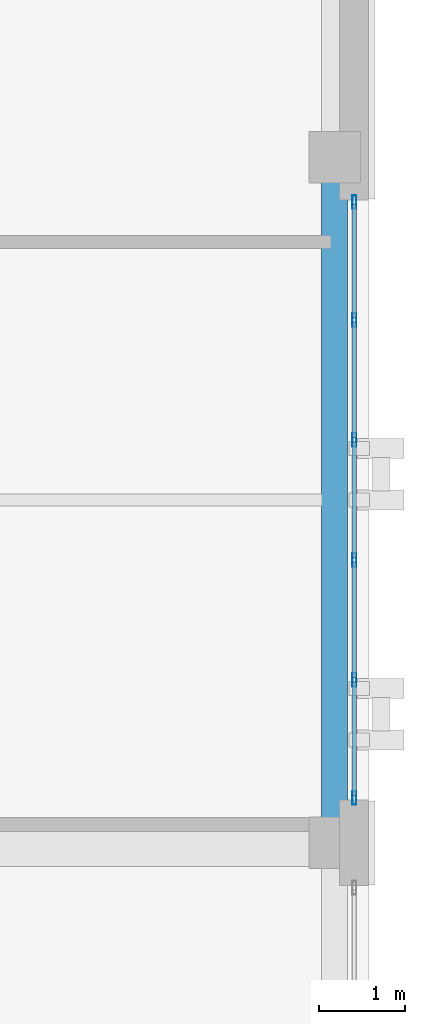
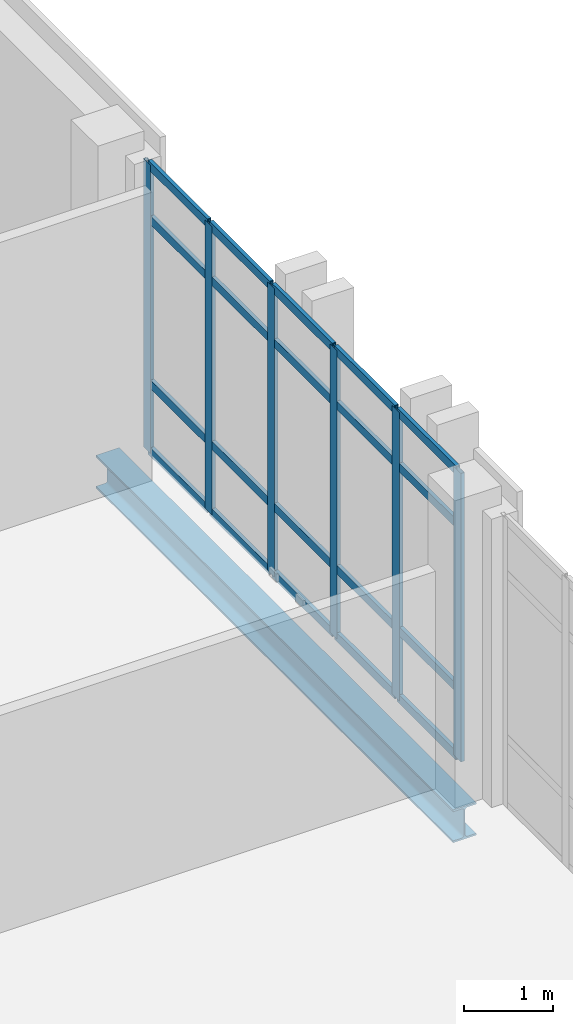
# One storey, part 11 of 22: 26 members, 1 beam, 1 element without a shape of its own.
"""IFC4 building model written with IfcOpenShell, lengths in metres."""

from ifc_helpers import new_model, si_unit, direction, frame, origin, origin_2d, place, context, subcontext, project, spatial, hollow_rectangle, i_section, extrude, material, layer, layer_set, material_profile, profile_set, type_object, element, aggregate, save


model = new_model("IFC4")

# Units and contexts
model_context = context("Model", 3, precision=1e-05, world=origin(), true_north=direction((0.0, 1.0)))
body_context = subcontext(model_context, "Body", "Model", "MODEL_VIEW")
ifc_project = project(units=[si_unit("LENGTHUNIT", "METRE"), si_unit("AREAUNIT", "SQUARE_METRE"), si_unit("VOLUMEUNIT", "CUBIC_METRE"), si_unit("PLANEANGLEUNIT", "RADIAN"), si_unit("MASSUNIT", "GRAM", prefix="KILO")], contexts=[model_context])

# Site, building, storey
site_placement = place(None, origin())
site = spatial("IfcSite", under=ifc_project, at=site_placement, CompositionType="ELEMENT")
building_placement = place(site_placement, origin())
building = spatial("IfcBuilding", under=site, at=building_placement, Name="Qalavern Law Courts", CompositionType="ELEMENT")
storey_placement = place(building_placement, frame((0.0, 0.0, 35.39990234375)))
storey = spatial("IfcBuildingStorey", under=building, at=storey_placement, Name="L08", CompositionType="ELEMENT", Elevation=35.39990234375)

# Curtain wall, members
ifc_material_1 = material(Name="Anodised aluminium and insulated glazing", Category="aluminium")
ifc_layer = layer(ifc_material_1, 0.159912109375)
ifc_layer_set = layer_set([ifc_layer], Name="Anodised aluminium and insulated glazing")
curtain_wall_type = type_object("IfcCurtainWallType", Name="ENV-CW-CHAMB", PredefinedType="USERDEFINED", material=ifc_layer_set)
curtain_wall_placement = place(storey_placement, origin())
curtain_wall = element("IfcCurtainWall", 1, at=curtain_wall_placement, inside=storey, type_object=curtain_wall_type, Name="V4 unitised curtain wall L08 east 3", ObjectType="UNITISED CURTAIN WALL", PredefinedType="USERDEFINED")
ifc_material_2 = material(Name="Anodised aluminium", Category="aluminium")
ifc_material_profile_1 = material_profile(ifc_material_2, hollow_rectangle(XDim=0.048095703125, YDim=0.159912109375, WallThickness=0.00390625, at=origin_2d()), Name="ALU MULLION 48x160")
ifc_profile_set_1 = profile_set([ifc_material_profile_1], Name="Anodised aluminium")
member_type_1 = type_object("IfcMemberType", Name="ENV-CWM-48x160", PredefinedType="MULLION", material=ifc_profile_set_1)
member_1_placement = place(storey_placement, frame((106.6298828125, 57.924072265625, 0.0), z_axis=(0.0, 0.0, 1.0), x_axis=(-1.0, 0.0, 0.0)))
member_1 = element("IfcMember", 2, at=member_1_placement, type_object=member_type_1, Name="CW-04 mullion 1", PredefinedType="MULLION", context=body_context, shape_type="SweptSolid", body=[
    extrude(hollow_rectangle(XDim=0.048095703125, YDim=0.159912109375, WallThickness=0.00390625, at=origin_2d()), origin(), (0.0, 0.0, 1.0), 3.945068359375),
])
member_2_placement = place(storey_placement, frame((106.6298828125, 59.300048828125, 0.0), z_axis=(0.0, 0.0, 1.0), x_axis=(-1.0, 0.0, 0.0)))
member_2 = element("IfcMember", 3, at=member_2_placement, type_object=member_type_1, Name="CW-04 mullion 2", PredefinedType="MULLION", context=body_context, shape_type="SweptSolid", body=[
    extrude(hollow_rectangle(XDim=0.048095703125, YDim=0.159912109375, WallThickness=0.00390625, at=origin_2d()), origin(), (0.0, 0.0, 1.0), 3.945068359375),
])
member_3_placement = place(storey_placement, frame((106.6298828125, 60.699951171875, 0.0), z_axis=(0.0, 0.0, 1.0), x_axis=(-1.0, 0.0, 0.0)))
member_3 = element("IfcMember", 4, at=member_3_placement, type_object=member_type_1, Name="CW-04 mullion 3", PredefinedType="MULLION", context=body_context, shape_type="SweptSolid", body=[
    extrude(hollow_rectangle(XDim=0.048095703125, YDim=0.159912109375, WallThickness=0.00390625, at=origin_2d()), origin(), (0.0, 0.0, 1.0), 3.945068359375),
])
member_4_placement = place(storey_placement, frame((106.6298828125, 62.10009765625, 0.0), z_axis=(0.0, 0.0, 1.0), x_axis=(-1.0, 0.0, 0.0)))
member_4 = element("IfcMember", 5, at=member_4_placement, type_object=member_type_1, Name="CW-04 mullion 4", PredefinedType="MULLION", context=body_context, shape_type="SweptSolid", body=[
    extrude(hollow_rectangle(XDim=0.048095703125, YDim=0.159912109375, WallThickness=0.00390625, at=origin_2d()), origin(), (0.0, 0.0, 1.0), 3.945068359375),
])
member_5_placement = place(storey_placement, frame((106.6298828125, 63.5, 0.0), z_axis=(0.0, 0.0, 1.0), x_axis=(-1.0, 0.0, 0.0)))
member_5 = element("IfcMember", 6, at=member_5_placement, type_object=member_type_1, Name="CW-04 mullion 5", PredefinedType="MULLION", context=body_context, shape_type="SweptSolid", body=[
    extrude(hollow_rectangle(XDim=0.048095703125, YDim=0.159912109375, WallThickness=0.00390625, at=origin_2d()), origin(), (0.0, 0.0, 1.0), 3.945068359375),
])
member_6_placement = place(storey_placement, frame((106.6298828125, 64.8759765625, 0.0), z_axis=(0.0, 0.0, 1.0), x_axis=(-1.0, 0.0, 0.0)))
member_6 = element("IfcMember", 7, at=member_6_placement, type_object=member_type_1, Name="CW-04 mullion 6", PredefinedType="MULLION", context=body_context, shape_type="SweptSolid", body=[
    extrude(hollow_rectangle(XDim=0.048095703125, YDim=0.159912109375, WallThickness=0.00390625, at=origin_2d()), origin(), (0.0, 0.0, 1.0), 3.945068359375),
])
ifc_material_profile_2 = material_profile(ifc_material_2, hollow_rectangle(XDim=0.048095703125, YDim=0.1201171875, WallThickness=0.00390625, at=origin_2d()), Name="ALU TRANSOM 48x120")
ifc_profile_set_2 = profile_set([ifc_material_profile_2], Name="Anodised aluminium")
member_type_2 = type_object("IfcMemberType", Name="ENV-CWT-48x120", PredefinedType="USERDEFINED", material=ifc_profile_set_2)
member_7_placement = place(storey_placement, frame((106.6298828125, 57.947998046875, 0.024169921875), z_axis=(0.0, 1.0, 0.0), x_axis=(-1.0, 0.0, 0.0)))
member_7 = element("IfcMember", 8, at=member_7_placement, type_object=member_type_2, Name="CW-04 transom 1.1", ObjectType="TRANSOM", PredefinedType="USERDEFINED", context=body_context, shape_type="SweptSolid", body=[
    extrude(hollow_rectangle(XDim=0.048095703125, YDim=0.1201171875, WallThickness=0.00390625, at=origin_2d()), origin(), (0.0, 0.0, 1.0), 1.327880859375),
])
member_8_placement = place(storey_placement, frame((106.6298828125, 57.947998046875, 0.9501953125), z_axis=(0.0, 1.0, 0.0), x_axis=(-1.0, 0.0, 0.0)))
member_8 = element("IfcMember", 9, at=member_8_placement, type_object=member_type_2, Name="CW-04 transom 1.2", ObjectType="TRANSOM", PredefinedType="USERDEFINED", context=body_context, shape_type="SweptSolid", body=[
    extrude(hollow_rectangle(XDim=0.048095703125, YDim=0.1201171875, WallThickness=0.00390625, at=origin_2d()), origin(), (0.0, 0.0, 1.0), 1.327880859375),
])
member_9_placement = place(storey_placement, frame((106.6298828125, 57.947998046875, 3.195068359375), z_axis=(0.0, 1.0, 0.0), x_axis=(-1.0, 0.0, 0.0)))
member_9 = element("IfcMember", 10, at=member_9_placement, type_object=member_type_2, Name="CW-04 transom 1.3", ObjectType="TRANSOM", PredefinedType="USERDEFINED", context=body_context, shape_type="SweptSolid", body=[
    extrude(hollow_rectangle(XDim=0.048095703125, YDim=0.1201171875, WallThickness=0.00390625, at=origin_2d()), origin(), (0.0, 0.0, 1.0), 1.327880859375),
])
member_10_placement = place(storey_placement, frame((106.6298828125, 57.947998046875, 3.921142578125), z_axis=(0.0, 1.0, 0.0), x_axis=(-1.0, 0.0, 0.0)))
member_10 = element("IfcMember", 11, at=member_10_placement, type_object=member_type_2, Name="CW-04 transom 1.4", ObjectType="TRANSOM", PredefinedType="USERDEFINED", context=body_context, shape_type="SweptSolid", body=[
    extrude(hollow_rectangle(XDim=0.048095703125, YDim=0.1201171875, WallThickness=0.00390625, at=origin_2d()), origin(), (0.0, 0.0, 1.0), 1.327880859375),
])
member_11_placement = place(storey_placement, frame((106.6298828125, 59.323974609375, 0.024169921875), z_axis=(0.0, 1.0, 0.0), x_axis=(-1.0, 0.0, 0.0)))
member_11 = element("IfcMember", 12, at=member_11_placement, type_object=member_type_2, Name="CW-04 transom 2.1", ObjectType="TRANSOM", PredefinedType="USERDEFINED", context=body_context, shape_type="SweptSolid", body=[
    extrude(hollow_rectangle(XDim=0.048095703125, YDim=0.1201171875, WallThickness=0.00390625, at=origin_2d()), origin(), (0.0, 0.0, 1.0), 1.35205078125),
])
member_12_placement = place(storey_placement, frame((106.6298828125, 59.323974609375, 0.9501953125), z_axis=(0.0, 1.0, 0.0), x_axis=(-1.0, 0.0, 0.0)))
member_12 = element("IfcMember", 13, at=member_12_placement, type_object=member_type_2, Name="CW-04 transom 2.2", ObjectType="TRANSOM", PredefinedType="USERDEFINED", context=body_context, shape_type="SweptSolid", body=[
    extrude(hollow_rectangle(XDim=0.048095703125, YDim=0.1201171875, WallThickness=0.00390625, at=origin_2d()), origin(), (0.0, 0.0, 1.0), 1.35205078125),
])
member_13_placement = place(storey_placement, frame((106.6298828125, 59.323974609375, 3.195068359375), z_axis=(0.0, 1.0, 0.0), x_axis=(-1.0, 0.0, 0.0)))
member_13 = element("IfcMember", 14, at=member_13_placement, type_object=member_type_2, Name="CW-04 transom 2.3", ObjectType="TRANSOM", PredefinedType="USERDEFINED", context=body_context, shape_type="SweptSolid", body=[
    extrude(hollow_rectangle(XDim=0.048095703125, YDim=0.1201171875, WallThickness=0.00390625, at=origin_2d()), origin(), (0.0, 0.0, 1.0), 1.35205078125),
])
member_14_placement = place(storey_placement, frame((106.6298828125, 59.323974609375, 3.921142578125), z_axis=(0.0, 1.0, 0.0), x_axis=(-1.0, 0.0, 0.0)))
member_14 = element("IfcMember", 15, at=member_14_placement, type_object=member_type_2, Name="CW-04 transom 2.4", ObjectType="TRANSOM", PredefinedType="USERDEFINED", context=body_context, shape_type="SweptSolid", body=[
    extrude(hollow_rectangle(XDim=0.048095703125, YDim=0.1201171875, WallThickness=0.00390625, at=origin_2d()), origin(), (0.0, 0.0, 1.0), 1.35205078125),
])
member_15_placement = place(storey_placement, frame((106.6298828125, 60.72412109375, 0.024169921875), z_axis=(0.0, 1.0, 0.0), x_axis=(-1.0, 0.0, 0.0)))
member_15 = element("IfcMember", 16, at=member_15_placement, type_object=member_type_2, Name="CW-04 transom 3.1", ObjectType="TRANSOM", PredefinedType="USERDEFINED", context=body_context, shape_type="SweptSolid", body=[
    extrude(hollow_rectangle(XDim=0.048095703125, YDim=0.1201171875, WallThickness=0.00390625, at=origin_2d()), origin(), (0.0, 0.0, 1.0), 1.351806640625),
])
member_16_placement = place(storey_placement, frame((106.6298828125, 60.72412109375, 0.9501953125), z_axis=(0.0, 1.0, 0.0), x_axis=(-1.0, 0.0, 0.0)))
member_16 = element("IfcMember", 17, at=member_16_placement, type_object=member_type_2, Name="CW-04 transom 3.2", ObjectType="TRANSOM", PredefinedType="USERDEFINED", context=body_context, shape_type="SweptSolid", body=[
    extrude(hollow_rectangle(XDim=0.048095703125, YDim=0.1201171875, WallThickness=0.00390625, at=origin_2d()), origin(), (0.0, 0.0, 1.0), 1.351806640625),
])
member_17_placement = place(storey_placement, frame((106.6298828125, 60.72412109375, 3.195068359375), z_axis=(0.0, 1.0, 0.0), x_axis=(-1.0, 0.0, 0.0)))
member_17 = element("IfcMember", 18, at=member_17_placement, type_object=member_type_2, Name="CW-04 transom 3.3", ObjectType="TRANSOM", PredefinedType="USERDEFINED", context=body_context, shape_type="SweptSolid", body=[
    extrude(hollow_rectangle(XDim=0.048095703125, YDim=0.1201171875, WallThickness=0.00390625, at=origin_2d()), origin(), (0.0, 0.0, 1.0), 1.351806640625),
])
member_18_placement = place(storey_placement, frame((106.6298828125, 60.72412109375, 3.921142578125), z_axis=(0.0, 1.0, 0.0), x_axis=(-1.0, 0.0, 0.0)))
member_18 = element("IfcMember", 19, at=member_18_placement, type_object=member_type_2, Name="CW-04 transom 3.4", ObjectType="TRANSOM", PredefinedType="USERDEFINED", context=body_context, shape_type="SweptSolid", body=[
    extrude(hollow_rectangle(XDim=0.048095703125, YDim=0.1201171875, WallThickness=0.00390625, at=origin_2d()), origin(), (0.0, 0.0, 1.0), 1.351806640625),
])
member_19_placement = place(storey_placement, frame((106.6298828125, 62.1240234375, 0.024169921875), z_axis=(0.0, 1.0, 0.0), x_axis=(-1.0, 0.0, 0.0)))
member_19 = element("IfcMember", 20, at=member_19_placement, type_object=member_type_2, Name="CW-04 transom 4.1", ObjectType="TRANSOM", PredefinedType="USERDEFINED", context=body_context, shape_type="SweptSolid", body=[
    extrude(hollow_rectangle(XDim=0.048095703125, YDim=0.1201171875, WallThickness=0.00390625, at=origin_2d()), origin(), (0.0, 0.0, 1.0), 1.35205078125),
])
member_20_placement = place(storey_placement, frame((106.6298828125, 62.1240234375, 0.9501953125), z_axis=(0.0, 1.0, 0.0), x_axis=(-1.0, 0.0, 0.0)))
member_20 = element("IfcMember", 21, at=member_20_placement, type_object=member_type_2, Name="CW-04 transom 4.2", ObjectType="TRANSOM", PredefinedType="USERDEFINED", context=body_context, shape_type="SweptSolid", body=[
    extrude(hollow_rectangle(XDim=0.048095703125, YDim=0.1201171875, WallThickness=0.00390625, at=origin_2d()), origin(), (0.0, 0.0, 1.0), 1.35205078125),
])
member_21_placement = place(storey_placement, frame((106.6298828125, 62.1240234375, 3.195068359375), z_axis=(0.0, 1.0, 0.0), x_axis=(-1.0, 0.0, 0.0)))
member_21 = element("IfcMember", 22, at=member_21_placement, type_object=member_type_2, Name="CW-04 transom 4.3", ObjectType="TRANSOM", PredefinedType="USERDEFINED", context=body_context, shape_type="SweptSolid", body=[
    extrude(hollow_rectangle(XDim=0.048095703125, YDim=0.1201171875, WallThickness=0.00390625, at=origin_2d()), origin(), (0.0, 0.0, 1.0), 1.35205078125),
])
member_22_placement = place(storey_placement, frame((106.6298828125, 62.1240234375, 3.921142578125), z_axis=(0.0, 1.0, 0.0), x_axis=(-1.0, 0.0, 0.0)))
member_22 = element("IfcMember", 23, at=member_22_placement, type_object=member_type_2, Name="CW-04 transom 4.4", ObjectType="TRANSOM", PredefinedType="USERDEFINED", context=body_context, shape_type="SweptSolid", body=[
    extrude(hollow_rectangle(XDim=0.048095703125, YDim=0.1201171875, WallThickness=0.00390625, at=origin_2d()), origin(), (0.0, 0.0, 1.0), 1.35205078125),
])
member_23_placement = place(storey_placement, frame((106.6298828125, 63.52392578125, 0.024169921875), z_axis=(0.0, 1.0, 0.0), x_axis=(-1.0, 0.0, 0.0)))
member_23 = element("IfcMember", 24, at=member_23_placement, type_object=member_type_2, Name="CW-04 transom 5.1", ObjectType="TRANSOM", PredefinedType="USERDEFINED", context=body_context, shape_type="SweptSolid", body=[
    extrude(hollow_rectangle(XDim=0.048095703125, YDim=0.1201171875, WallThickness=0.00390625, at=origin_2d()), origin(), (0.0, 0.0, 1.0), 1.328125),
])
member_24_placement = place(storey_placement, frame((106.6298828125, 63.52392578125, 0.9501953125), z_axis=(0.0, 1.0, 0.0), x_axis=(-1.0, 0.0, 0.0)))
member_24 = element("IfcMember", 25, at=member_24_placement, type_object=member_type_2, Name="CW-04 transom 5.2", ObjectType="TRANSOM", PredefinedType="USERDEFINED", context=body_context, shape_type="SweptSolid", body=[
    extrude(hollow_rectangle(XDim=0.048095703125, YDim=0.1201171875, WallThickness=0.00390625, at=origin_2d()), origin(), (0.0, 0.0, 1.0), 1.328125),
])
member_25_placement = place(storey_placement, frame((106.6298828125, 63.52392578125, 3.195068359375), z_axis=(0.0, 1.0, 0.0), x_axis=(-1.0, 0.0, 0.0)))
member_25 = element("IfcMember", 26, at=member_25_placement, type_object=member_type_2, Name="CW-04 transom 5.3", ObjectType="TRANSOM", PredefinedType="USERDEFINED", context=body_context, shape_type="SweptSolid", body=[
    extrude(hollow_rectangle(XDim=0.048095703125, YDim=0.1201171875, WallThickness=0.00390625, at=origin_2d()), origin(), (0.0, 0.0, 1.0), 1.328125),
])
member_26_placement = place(storey_placement, frame((106.6298828125, 63.52392578125, 3.921142578125), z_axis=(0.0, 1.0, 0.0), x_axis=(-1.0, 0.0, 0.0)))
member_26 = element("IfcMember", 27, at=member_26_placement, type_object=member_type_2, Name="CW-04 transom 5.4", ObjectType="TRANSOM", PredefinedType="USERDEFINED", context=body_context, shape_type="SweptSolid", body=[
    extrude(hollow_rectangle(XDim=0.048095703125, YDim=0.1201171875, WallThickness=0.00390625, at=origin_2d()), origin(), (0.0, 0.0, 1.0), 1.328125),
])
aggregate(curtain_wall, [member_1, member_2, member_3, member_4, member_5, member_6, member_7, member_8, member_9, member_10, member_11, member_12, member_13, member_14, member_15, member_16, member_17, member_18, member_19, member_20, member_21, member_22, member_23, member_24, member_25, member_26])

# Beam
ifc_material_3 = material(Name="Steel S355", Category="steel")
ifc_material_profile_3 = material_profile(ifc_material_3, i_section(OverallWidth=0.300048828125, OverallDepth=0.449951171875, WebThickness=0.013916015625, FlangeThickness=0.02587890625, FilletRadius=0.027099609375, at=origin_2d()), Name="HEB 450")
ifc_profile_set_3 = profile_set([ifc_material_profile_3], Name="Steel S355")
beam_type = type_object("IfcBeamType", Name="STR-SP-HEB450", PredefinedType="SPANDREL", material=ifc_profile_set_3)
beam_placement = place(storey_placement, frame((106.39990234375, 57.39990234375, -0.48486328125), z_axis=(0.0, 1.0, 0.0), x_axis=(-1.0, 0.0, 0.0)))
element("IfcBeam", 28, at=beam_placement, inside=storey, type_object=beam_type, Name="V4 Y-beam 3-3 L08", PredefinedType="SPANDREL", context=body_context, shape_type="SweptSolid", body=[
    extrude(i_section(OverallWidth=0.300048828125, OverallDepth=0.449951171875, WebThickness=0.013916015625, FlangeThickness=0.02587890625, FilletRadius=0.027099609375, at=origin_2d()), origin(), (0.0, 0.0, 1.0), 8.0),
])

save(model, "model.ifc")
